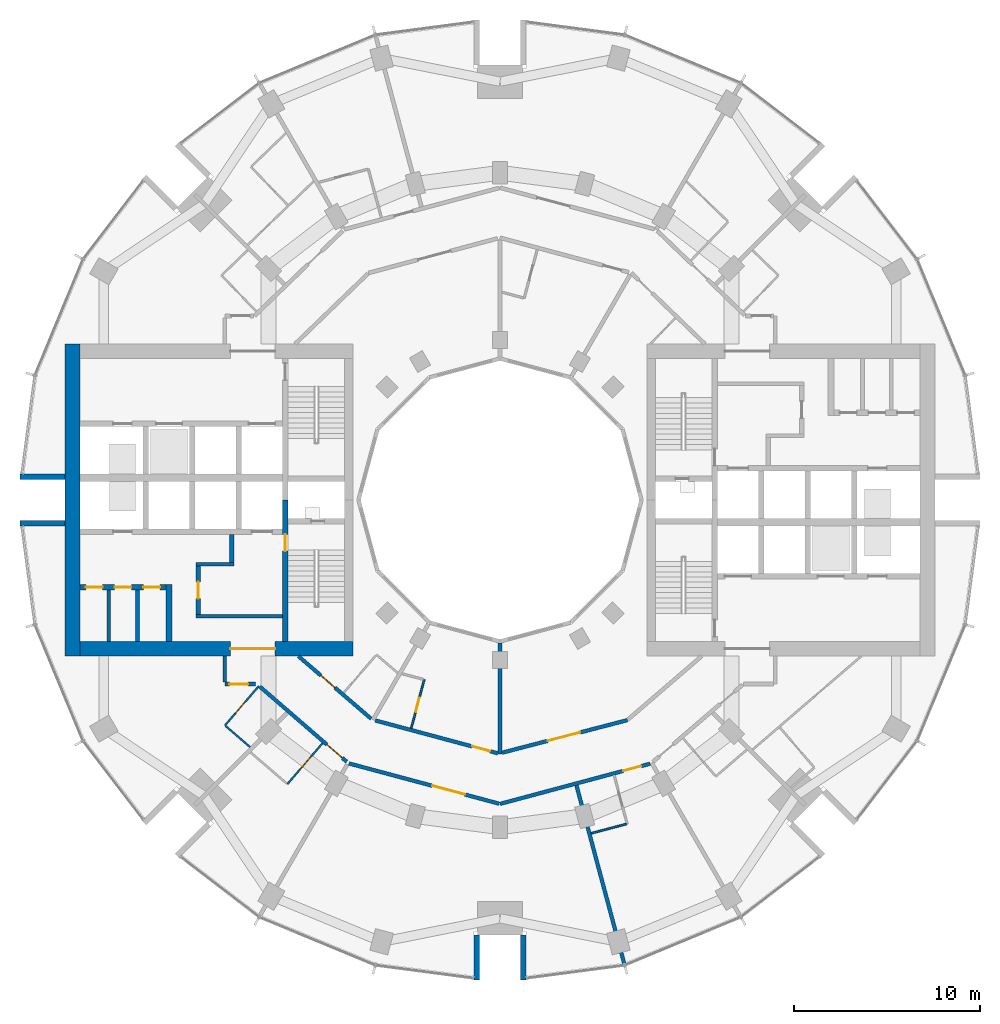
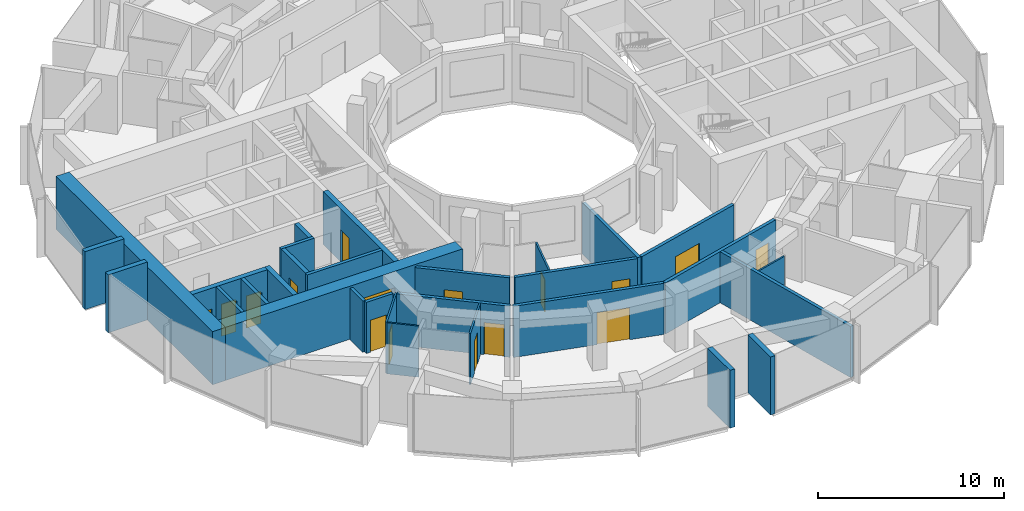
# One storey, part 8 of 15: 30 walls, 16 doors, 16 openings.
"""IFC4 building model written with IfcOpenShell, lengths in metres."""

from ifc_helpers import new_model, si_unit, direction, frame, frame_2d, origin, place, context, subcontext, project, spatial, rectangle, extrude, material, layer, layer_set, type_object, element, fill, save


model = new_model("IFC4")

# Units and contexts
model_context = context("Model", 3, precision=1e-05, world=origin(), true_north=direction((0.0, 1.0)))
body_context = subcontext(model_context, "Body", "Model", "MODEL_VIEW")
ifc_project = project(units=[si_unit("LENGTHUNIT", "METRE"), si_unit("AREAUNIT", "SQUARE_METRE"), si_unit("VOLUMEUNIT", "CUBIC_METRE"), si_unit("PLANEANGLEUNIT", "RADIAN"), si_unit("MASSUNIT", "GRAM", prefix="KILO")], contexts=[model_context])

# Site, building, storey
site_placement = place(None, origin())
site = spatial("IfcSite", under=ifc_project, at=site_placement, CompositionType="ELEMENT")
building_placement = place(site_placement, origin())
building = spatial("IfcBuilding", under=site, at=building_placement, Name="Torre Brocal", CompositionType="ELEMENT")
storey_placement = place(building_placement, frame((0.0, 0.0, 97.60009765625)))
storey = spatial("IfcBuildingStorey", under=building, at=storey_placement, Name="L22", CompositionType="ELEMENT", Elevation=97.60009765625)

# Walls
ifc_material_1 = material(Name="Masonry block", Category="masonry")
ifc_layer_1 = layer(ifc_material_1, 0.199951171875)
ifc_layer_set_1 = layer_set([ifc_layer_1], Name="Masonry block")
wall_type_1 = type_object("IfcWallType", Name="CORE PARTITION 200", PredefinedType="PARTITIONING", material=ifc_layer_set_1)
for number, where, z_axis, x_axis, name in (
    (1, (60.5, 70.14990234375, 0.0), (0.0, 0.0, 1.0), (0.0, -1.0, 0.0), "Wall CP200"),
    (2, (58.949951171875, 70.14990234375, 0.0), (0.0, 0.0, 1.0), (0.0, -1.0, 0.0), "Wall CP200"),
):
    element("IfcWall", number, at=place(storey_placement, frame(where, z_axis=z_axis, x_axis=x_axis)), inside=storey, type_object=wall_type_1, Name=name, PredefinedType="PARTITIONING", context=body_context, shape_type="SweptSolid", body=[
        extrude(rectangle(XDim=2.75, YDim=0.199951171875, at=frame_2d((1.375, 0.0))), origin(), (0.0, 0.0, 1.0), 3.47998046875),
    ])
ifc_material_2 = material(Name="Concrete C80", Category="concrete")
ifc_layer_2 = layer(ifc_material_2, 0.199951171875)
ifc_layer_set_2 = layer_set([ifc_layer_2], Name="Concrete C80")
wall_type_2 = type_object("IfcWallType", Name="CORE WALL 200 C80", PredefinedType="SHEAR", material=ifc_layer_set_2)
wall_1_placement = place(storey_placement, frame((68.300048828125, 68.75, 0.0), z_axis=(0.0, 0.0, 1.0), x_axis=(-1.0, 0.0, 0.0)))
element("IfcWall", 3, at=wall_1_placement, inside=storey, type_object=wall_type_2, Name="Wall CW200-80", PredefinedType="SHEAR", context=body_context, shape_type="SweptSolid", body=[
    extrude(rectangle(XDim=4.650146484375, YDim=0.199951171875, at=frame_2d((2.3251953125, 0.0))), origin(), (0.0, 0.0, 1.0), 3.47998046875),
])
wall_2_placement = place(storey_placement, frame((65.699951171875, 71.550048828125, 0.0), z_axis=(0.0, 0.0, 1.0), x_axis=(-1.0, 0.0, 0.0)))
element("IfcWall", 4, at=wall_2_placement, inside=storey, type_object=wall_type_2, Name="Wall CW200-80", PredefinedType="SHEAR", context=body_context, shape_type="SweptSolid", body=[
    extrude(rectangle(XDim=2.050048828125, YDim=0.199951171875, at=frame_2d((1.02490234375, 0.0))), origin(), (0.0, 0.0, 1.0), 3.47998046875),
])

# Wall, opening, door
ifc_material_3 = material(Name="Concrete C80", Category="concrete")
ifc_layer_3 = layer(ifc_material_3, 0.25)
ifc_layer_set_3 = layer_set([ifc_layer_3], Name="Concrete C80")
wall_type_3 = type_object("IfcWallType", Name="CORE WALL 250 C80", PredefinedType="SHEAR", material=ifc_layer_set_3)
wall_3_placement = place(storey_placement, frame((63.77490234375, 71.449951171875, 0.0), z_axis=(0.0, 0.0, 1.0), x_axis=(0.0, -1.0, 0.0)))
wall_3 = element("IfcWall", 5, at=wall_3_placement, inside=storey, type_object=wall_type_3, Name="Wall CW250-80", PredefinedType="SHEAR", context=body_context, shape_type="SweptSolid", body=[
    extrude(rectangle(XDim=2.599853515625, YDim=0.25, at=frame_2d((1.2998046875, 0.0))), origin(), (0.0, 0.0, 1.0), 3.47998046875),
])
opening_1_placement = place(wall_3_placement, frame((0.85009765625, 0.0, 0.0)))
opening_1 = element("IfcOpeningElement", 6, at=opening_1_placement, cuts=wall_3, Name="Opening W-D15", PredefinedType="OPENING", context=body_context, shape_type="SweptSolid", body=[
    extrude(rectangle(XDim=0.89990234375, YDim=2.10009765625, at=frame_2d((0.449951171875, 1.050048828125))), frame((0.0, 0.135009765625, 0.0), z_axis=(0.0, -1.0, 0.0), x_axis=(1.0, 0.0, 0.0)), (0.0, 0.0, 1.0), 0.27001953125),
])
ifc_material_4 = material(Name="Steel A653", Category="steel")
door_type_1 = type_object("IfcDoorType", Name="LOBBY DOOR FD120 900X2100", OperationType="SINGLE_SWING_RIGHT", PredefinedType="DOOR", material=ifc_material_4)
door_1_placement = place(opening_1_placement, origin())
door_1 = element("IfcDoor", 7, at=door_1_placement, inside=storey, type_object=door_type_1, Name="Door W-D15", OperationType="SINGLE_SWING_LEFT", OverallHeight=2.10009765625, OverallWidth=0.89990234375, PredefinedType="DOOR", context=body_context, shape_type="SweptSolid", body=[
    extrude(rectangle(XDim=0.89990234375, YDim=2.10009765625, at=frame_2d((0.449951171875, 1.050048828125))), frame((0.0, 0.02490234375, 0.0), z_axis=(0.0, -1.0, 0.0), x_axis=(1.0, 0.0, 0.0)), (0.0, 0.0, 1.0), 0.050048828125),
])
fill(opening_1, door_1)

# Wall
wall_4_placement = place(storey_placement, frame((65.574951171875, 73.14990234375, 0.0), z_axis=(0.0, 0.0, 1.0), x_axis=(0.0, -1.0, 0.0)))
element("IfcWall", 8, at=wall_4_placement, inside=storey, type_object=wall_type_3, Name="Wall CW250-80", PredefinedType="SHEAR", context=body_context, shape_type="SweptSolid", body=[
    extrude(rectangle(XDim=1.5, YDim=0.25, at=frame_2d((0.75, 0.0))), origin(), (0.0, 0.0, 1.0), 3.47998046875),
])

# Wall, opening, door
ifc_material_5 = material(Name="Concrete C80", Category="concrete")
ifc_layer_4 = layer(ifc_material_5, 0.300048828125)
ifc_layer_set_4 = layer_set([ifc_layer_4], Name="Concrete C80")
wall_type_4 = type_object("IfcWallType", Name="CORE WALL 300 C80", PredefinedType="SHEAR", material=ifc_layer_set_4)
wall_5_placement = place(storey_placement, frame((68.449951171875, 75.0, 0.0), z_axis=(0.0, 0.0, 1.0), x_axis=(0.0, -1.0, 0.0)))
wall_5 = element("IfcWall", 9, at=wall_5_placement, inside=storey, type_object=wall_type_4, Name="Wall CW300-80", PredefinedType="SHEAR", context=body_context, shape_type="SweptSolid", body=[
    extrude(rectangle(XDim=7.60009765625, YDim=0.300048828125, at=frame_2d((3.800048828125, 0.0))), origin(), (0.0, 0.0, 1.0), 3.47998046875),
])
opening_2_placement = place(wall_5_placement, frame((1.85009765625, 0.0, 0.0)))
opening_2 = element("IfcOpeningElement", 10, at=opening_2_placement, cuts=wall_5, Name="Opening W-D02", PredefinedType="OPENING", context=body_context, shape_type="SweptSolid", body=[
    extrude(rectangle(XDim=0.89990234375, YDim=2.10009765625, at=frame_2d((0.449951171875, 1.050048828125))), frame((0.0, 0.159912109375, 0.0), z_axis=(0.0, -1.0, 0.0), x_axis=(1.0, 0.0, 0.0)), (0.0, 0.0, 1.0), 0.320068359375),
])
ifc_material_6 = material(Name="Steel A653", Category="steel")
door_type_2 = type_object("IfcDoorType", Name="STAIR DOOR FD120 900X2100", OperationType="SINGLE_SWING_RIGHT", PredefinedType="DOOR", material=ifc_material_6)
door_2_placement = place(opening_2_placement, origin())
door_2 = element("IfcDoor", 11, at=door_2_placement, inside=storey, type_object=door_type_2, Name="Door W-D02", OperationType="SINGLE_SWING_LEFT", OverallHeight=2.10009765625, OverallWidth=0.89990234375, PredefinedType="DOOR", context=body_context, shape_type="SweptSolid", body=[
    extrude(rectangle(XDim=0.89990234375, YDim=2.10009765625, at=frame_2d((0.449951171875, 1.050048828125))), frame((0.0, 0.02490234375, 0.0), z_axis=(0.0, -1.0, 0.0), x_axis=(1.0, 0.0, 0.0)), (0.0, 0.0, 1.0), 0.050048828125),
])
fill(opening_2, door_2)

# Wall
wall_6_placement = place(storey_placement, frame((62.199951171875, 70.449951171875, 0.0), z_axis=(0.0, 0.0, 1.0), x_axis=(0.0, -1.0, 0.0)))
element("IfcWall", 12, at=wall_6_placement, inside=storey, type_object=wall_type_4, Name="Wall CW300-80", PredefinedType="SHEAR", context=body_context, shape_type="SweptSolid", body=[
    extrude(rectangle(XDim=3.050048828125, YDim=0.300048828125, at=frame_2d((1.52490234375, 0.0))), origin(), (0.0, 0.0, 1.0), 3.47998046875),
])

# Wall, openings, doors
wall_7_placement = place(storey_placement, frame((62.050048828125, 70.300048828125, 0.0), z_axis=(0.0, 0.0, 1.0), x_axis=(-1.0, 0.0, 0.0)))
wall_7 = element("IfcWall", 13, at=wall_7_placement, inside=storey, type_object=wall_type_4, Name="Wall CW300-80", PredefinedType="SHEAR", context=body_context, shape_type="SweptSolid", body=[
    extrude(rectangle(XDim=4.650146484375, YDim=0.300048828125, at=frame_2d((2.3251953125, 0.0))), origin(), (0.0, 0.0, 1.0), 3.47998046875),
])
opening_3_placement = place(wall_7_placement, frame((0.324951171875, 0.0, 0.0)))
opening_3 = element("IfcOpeningElement", 14, at=opening_3_placement, cuts=wall_7, Name="Opening W-D05", PredefinedType="OPENING", context=body_context, shape_type="SweptSolid", body=[
    extrude(rectangle(XDim=0.89990234375, YDim=2.10009765625, at=frame_2d((0.449951171875, 1.050048828125))), frame((0.0, 0.159912109375, 0.0), z_axis=(0.0, -1.0, 0.0), x_axis=(1.0, 0.0, 0.0)), (0.0, 0.0, 1.0), 0.320068359375),
])
opening_4_placement = place(wall_7_placement, frame((1.875, 0.0, 0.0)))
opening_4 = element("IfcOpeningElement", 15, at=opening_4_placement, cuts=wall_7, Name="Opening W-D06", PredefinedType="OPENING", context=body_context, shape_type="SweptSolid", body=[
    extrude(rectangle(XDim=0.89990234375, YDim=2.10009765625, at=frame_2d((0.449951171875, 1.050048828125))), frame((0.0, 0.159912109375, 0.0), z_axis=(0.0, -1.0, 0.0), x_axis=(1.0, 0.0, 0.0)), (0.0, 0.0, 1.0), 0.320068359375),
])
opening_5_placement = place(wall_7_placement, frame((3.425048828125, 0.0, 0.0)))
opening_5 = element("IfcOpeningElement", 16, at=opening_5_placement, cuts=wall_7, Name="Opening W-D07", PredefinedType="OPENING", context=body_context, shape_type="SweptSolid", body=[
    extrude(rectangle(XDim=0.89990234375, YDim=2.10009765625, at=frame_2d((0.449951171875, 1.050048828125))), frame((0.0, 0.159912109375, 0.0), z_axis=(0.0, -1.0, 0.0), x_axis=(1.0, 0.0, 0.0)), (0.0, 0.0, 1.0), 0.320068359375),
])
ifc_material_7 = material(Name="Steel A653", Category="steel")
door_type_3 = type_object("IfcDoorType", Name="ROOM DOOR FD30S 900X2100", OperationType="SINGLE_SWING_LEFT", PredefinedType="DOOR", material=ifc_material_7)
door_3_placement = place(opening_3_placement, origin())
door_3 = element("IfcDoor", 17, at=door_3_placement, inside=storey, type_object=door_type_3, Name="Door W-D05", OperationType="SINGLE_SWING_RIGHT", OverallHeight=2.10009765625, OverallWidth=0.89990234375, PredefinedType="DOOR", context=body_context, shape_type="SweptSolid", body=[
    extrude(rectangle(XDim=0.89990234375, YDim=2.10009765625, at=frame_2d((0.449951171875, 1.050048828125))), frame((0.0, 0.02490234375, 0.0), z_axis=(0.0, -1.0, 0.0), x_axis=(1.0, 0.0, 0.0)), (0.0, 0.0, 1.0), 0.050048828125),
])
fill(opening_3, door_3)
door_4_placement = place(opening_4_placement, origin())
door_4 = element("IfcDoor", 18, at=door_4_placement, inside=storey, type_object=door_type_3, Name="Door W-D06", OperationType="SINGLE_SWING_RIGHT", OverallHeight=2.10009765625, OverallWidth=0.89990234375, PredefinedType="DOOR", context=body_context, shape_type="SweptSolid", body=[
    extrude(rectangle(XDim=0.89990234375, YDim=2.10009765625, at=frame_2d((0.449951171875, 1.050048828125))), frame((0.0, 0.02490234375, 0.0), z_axis=(0.0, -1.0, 0.0), x_axis=(1.0, 0.0, 0.0)), (0.0, 0.0, 1.0), 0.050048828125),
])
fill(opening_4, door_4)
door_5_placement = place(opening_5_placement, origin())
door_5 = element("IfcDoor", 19, at=door_5_placement, inside=storey, type_object=door_type_3, Name="Door W-D07", OperationType="SINGLE_SWING_LEFT", OverallHeight=2.10009765625, OverallWidth=0.89990234375, PredefinedType="DOOR", context=body_context, shape_type="SweptSolid", body=[
    extrude(rectangle(XDim=0.89990234375, YDim=2.10009765625, at=frame_2d((0.449951171875, 1.050048828125))), frame((0.0, 0.02490234375, 0.0), z_axis=(0.0, -1.0, 0.0), x_axis=(1.0, 0.0, 0.0)), (0.0, 0.0, 1.0), 0.050048828125),
])
fill(opening_5, door_5)

# Wall, opening, door
ifc_material_8 = material(Name="Concrete C80", Category="concrete")
ifc_layer_5 = layer(ifc_material_8, 0.800048828125)
ifc_layer_set_5 = layer_set([ifc_layer_5], Name="Concrete C80")
wall_type_5 = type_object("IfcWallType", Name="CORE WALL 800 C80", PredefinedType="SHEAR", material=ifc_layer_set_5)
wall_8_placement = place(storey_placement, frame((72.10009765625, 67.0, 0.0), z_axis=(0.0, 0.0, 1.0), x_axis=(-1.0, 0.0, 0.0)))
wall_8 = element("IfcWall", 20, at=wall_8_placement, inside=storey, type_object=wall_type_5, Name="Wall CW800-80", PredefinedType="SHEAR", context=body_context, shape_type="SweptSolid", body=[
    extrude(rectangle(XDim=14.7001953125, YDim=0.800048828125, at=frame_2d((7.35009765625, 0.0))), origin(), (0.0, 0.0, 1.0), 3.47998046875),
])
opening_6_placement = place(wall_8_placement, frame((4.199951171875, 0.0, 0.0)))
opening_6 = element("IfcOpeningElement", 21, at=opening_6_placement, cuts=wall_8, Name="Opening W-D27", PredefinedType="OPENING", context=body_context, shape_type="SweptSolid", body=[
    extrude(rectangle(XDim=2.39990234375, YDim=2.39990234375, at=frame_2d((1.199951171875, 1.199951171875))), frame((0.0, 0.409912109375, 0.0), z_axis=(0.0, -1.0, 0.0), x_axis=(1.0, 0.0, 0.0)), (0.0, 0.0, 1.0), 0.820068359375),
])
ifc_material_9 = material(Name="Steel A653", Category="steel")
door_type_4 = type_object("IfcDoorType", Name="DOUBLE FIRE DOOR FD90 2400X2400", OperationType="DOUBLE_DOOR_SINGLE_SWING", PredefinedType="DOOR", material=ifc_material_9)
door_6_placement = place(opening_6_placement, frame((2.39990234375, 0.0, 0.0), z_axis=(0.0, 0.0, 1.0), x_axis=(-1.0, 0.0, 0.0)))
door_6 = element("IfcDoor", 22, at=door_6_placement, inside=storey, type_object=door_type_4, Name="Door W-D27", OperationType="DOUBLE_DOOR_SINGLE_SWING", OverallHeight=2.39990234375, OverallWidth=2.39990234375, PredefinedType="DOOR", context=body_context, shape_type="SweptSolid", body=[
    extrude(rectangle(XDim=2.39990234375, YDim=2.39990234375, at=frame_2d((1.199951171875, 1.199951171875))), frame((0.0, 0.02490234375, 0.0), z_axis=(0.0, -1.0, 0.0), x_axis=(1.0, 0.0, 0.0)), (0.0, 0.0, 1.0), 0.050048828125),
])
fill(opening_6, door_6)

# Walls
wall_9_placement = place(storey_placement, frame((57.0, 83.39990234375, 0.0), z_axis=(0.0, 0.0, 1.0), x_axis=(0.0, -1.0, 0.0)))
element("IfcWall", 23, at=wall_9_placement, inside=storey, type_object=wall_type_5, Name="Wall CW800-80", PredefinedType="SHEAR", context=body_context, shape_type="SweptSolid", body=[
    extrude(rectangle(XDim=16.7998046875, YDim=0.800048828125, at=frame_2d((8.39990234375, 0.0))), origin(), (0.0, 0.0, 1.0), 3.47998046875),
])
ifc_material_10 = material(Name="Concrete C80", Category="concrete")
ifc_layer_6 = layer(ifc_material_10, 0.300048828125)
ifc_layer_set_6 = layer_set([ifc_layer_6], Name="Concrete C80")
wall_type_6 = type_object("IfcWallType", Name="NOTCH RETURN WALL 300 C80", PredefinedType="NOTDEFINED", material=ifc_layer_set_6)
for number, where, z_axis, x_axis, name in (
    (24, (56.60009765625, 76.25, 0.0), (0.0, 0.0, 1.0), (-1.0, 0.0, 0.0), "NOTCH RETURN WALL"),
    (25, (56.60009765625, 73.75, 0.0), (0.0, 0.0, 1.0), (-1.0, 0.0, 0.0), "NOTCH RETURN WALL"),
    (26, (78.75, 51.60009765625, 0.0), (0.0, 0.0, 1.0), (0.0, -1.0, 0.0), "NOTCH RETURN WALL"),
    (27, (81.25, 51.60009765625, 0.0), (0.0, 0.0, 1.0), (0.0, -1.0, 0.0), "NOTCH RETURN WALL"),
):
    element("IfcWall", number, at=place(storey_placement, frame(where, z_axis=z_axis, x_axis=x_axis)), inside=storey, type_object=wall_type_6, Name=name, PredefinedType="NOTDEFINED", context=body_context, shape_type="SweptSolid", body=[
        extrude(rectangle(XDim=2.415771484375, YDim=0.300048828125, at=frame_2d((1.2080078125, 0.0))), origin(), (0.0, 0.0, 1.0), 3.7998046875),
    ])
ifc_material_11 = material(Name="Gypsum board", Category="Gypsum")
ifc_layer_7 = layer(ifc_material_11, 0.10009765625)
ifc_layer_set_7 = layer_set([ifc_layer_7], Name="Gypsum board")
wall_type_7 = type_object("IfcWallType", Name="PARTITION 100", PredefinedType="PARTITIONING", material=ifc_layer_set_7)
wall_10_placement = place(storey_placement, frame((65.245849609375, 62.84228515625, 0.0), z_axis=(0.0, 0.0, 1.0), x_axis=(0.758030338995, -0.652219292234, 0.0)))
element("IfcWall", 28, at=wall_10_placement, inside=storey, type_object=wall_type_7, Name="BATHROOM WALL", PredefinedType="PARTITIONING", context=body_context, shape_type="SweptSolid", body=[
    extrude(rectangle(XDim=1.73046875, YDim=0.10009765625, at=frame_2d((0.865234375, 0.0))), origin(), (0.0, 0.0, 1.0), 3.349853515625),
])

# Wall, opening, door
wall_11_placement = place(storey_placement, frame((65.2080078125, 62.875, 0.0), z_axis=(0.0, 0.0, 1.0), x_axis=(0.65205430601, 0.758172264076, 0.0)))
wall_11 = element("IfcWall", 29, at=wall_11_placement, inside=storey, type_object=wall_type_7, Name="BATHROOM WALL", PredefinedType="PARTITIONING", context=body_context, shape_type="SweptSolid", body=[
    extrude(rectangle(XDim=2.7998046875, YDim=0.10009765625, at=frame_2d((1.39990234375, 0.0))), origin(), (0.0, 0.0, 1.0), 3.349853515625),
])
opening_7_placement = place(wall_11_placement, frame((0.85009765625, 0.0, 0.0)))
opening_7 = element("IfcOpeningElement", 30, at=opening_7_placement, cuts=wall_11, Name="Opening H06-D29", PredefinedType="OPENING", context=body_context, shape_type="SweptSolid", body=[
    extrude(rectangle(XDim=0.800048828125, YDim=2.10009765625, at=frame_2d((0.39990234375, 1.050048828125))), frame((0.0, 0.06005859375, 0.0), z_axis=(0.0, -1.0, 0.0), x_axis=(1.0, 0.0, 0.0)), (0.0, 0.0, 1.0), 0.1201171875),
])
ifc_material_12 = material(Name="Timber", Category="wood")
door_type_5 = type_object("IfcDoorType", Name="BATHROOM DOOR 800X2100", OperationType="SINGLE_SWING_LEFT", PredefinedType="DOOR", material=ifc_material_12)
door_7_placement = place(opening_7_placement, frame((0.800048828125, 0.0, 0.0), z_axis=(0.0, 0.0, 1.0), x_axis=(-1.0, 0.0, 0.0)))
door_7 = element("IfcDoor", 31, at=door_7_placement, inside=storey, type_object=door_type_5, Name="H06-D29", OperationType="SINGLE_SWING_RIGHT", OverallHeight=2.10009765625, OverallWidth=0.800048828125, PredefinedType="DOOR", context=body_context, shape_type="SweptSolid", body=[
    extrude(rectangle(XDim=0.800048828125, YDim=2.10009765625, at=frame_2d((0.39990234375, 1.050048828125))), frame((0.0, 0.02490234375, 0.0), z_axis=(0.0, -1.0, 0.0), x_axis=(1.0, 0.0, 0.0)), (0.0, 0.0, 1.0), 0.050048828125),
])
fill(opening_7, door_7)

wall_12_placement = place(storey_placement, frame((68.56591796875, 59.721923828125, 0.0), z_axis=(0.0, 0.0, 1.0), x_axis=(0.65193146671, 0.758277892803, 0.0)))
wall_12 = element("IfcWall", 32, at=wall_12_placement, inside=storey, type_object=wall_type_7, Name="BATHROOM WALL", PredefinedType="PARTITIONING", context=body_context, shape_type="SweptSolid", body=[
    extrude(rectangle(XDim=2.890380859375, YDim=0.10009765625, at=frame_2d((1.4453125, 0.0))), origin(), (0.0, 0.0, 1.0), 3.349853515625),
])
opening_8_placement = place(wall_12_placement, frame((1.050048828125, 0.0, 0.0)))
opening_8 = element("IfcOpeningElement", 33, at=opening_8_placement, cuts=wall_12, Name="Opening H06-D27", PredefinedType="OPENING", context=body_context, shape_type="SweptSolid", body=[
    extrude(rectangle(XDim=0.89990234375, YDim=2.10009765625, at=frame_2d((0.449951171875, 1.050048828125))), frame((0.0, 0.06005859375, 0.0), z_axis=(0.0, -1.0, 0.0), x_axis=(1.0, 0.0, 0.0)), (0.0, 0.0, 1.0), 0.1201171875),
])
ifc_material_13 = material(Name="Timber", Category="wood")
door_type_6 = type_object("IfcDoorType", Name="ACCESSIBLE BATHROOM DOOR 900X2100", OperationType="SINGLE_SWING_LEFT", PredefinedType="DOOR", material=ifc_material_13)
door_8_placement = place(opening_8_placement, origin())
door_8 = element("IfcDoor", 34, at=door_8_placement, inside=storey, type_object=door_type_6, Name="H06-D27", OperationType="SINGLE_SWING_RIGHT", OverallHeight=2.10009765625, OverallWidth=0.89990234375, PredefinedType="DOOR", context=body_context, shape_type="SweptSolid", body=[
    extrude(rectangle(XDim=0.89990234375, YDim=2.10009765625, at=frame_2d((0.449951171875, 1.050048828125))), frame((0.0, 0.02490234375, 0.0), z_axis=(0.0, -1.0, 0.0), x_axis=(1.0, 0.0, 0.0)), (0.0, 0.0, 1.0), 0.050048828125),
])
fill(opening_8, door_8)

wall_13_placement = place(storey_placement, frame((75.226806640625, 62.728759765625, 0.0), z_axis=(0.0, 0.0, 1.0), x_axis=(0.258945475746, 0.965891940432, 0.0)))
wall_13 = element("IfcWall", 35, at=wall_13_placement, inside=storey, type_object=wall_type_7, Name="BATHROOM WALL", PredefinedType="PARTITIONING", context=body_context, shape_type="SweptSolid", body=[
    extrude(rectangle(XDim=2.7001953125, YDim=0.10009765625, at=frame_2d((1.35009765625, 0.0))), origin(), (0.0, 0.0, 1.0), 3.349853515625),
])
opening_9_placement = place(wall_13_placement, frame((0.900146484375, 0.0, 0.0)))
opening_9 = element("IfcOpeningElement", 36, at=opening_9_placement, cuts=wall_13, Name="Opening H06-D32", PredefinedType="OPENING", context=body_context, shape_type="SweptSolid", body=[
    extrude(rectangle(XDim=0.800048828125, YDim=2.10009765625, at=frame_2d((0.39990234375, 1.050048828125))), frame((0.0, 0.06005859375, 0.0), z_axis=(0.0, -1.0, 0.0), x_axis=(1.0, 0.0, 0.0)), (0.0, 0.0, 1.0), 0.1201171875),
])
door_9_placement = place(opening_9_placement, origin())
door_9 = element("IfcDoor", 37, at=door_9_placement, inside=storey, type_object=door_type_5, Name="H06-D32", OperationType="SINGLE_SWING_LEFT", OverallHeight=2.10009765625, OverallWidth=0.800048828125, PredefinedType="DOOR", context=body_context, shape_type="SweptSolid", body=[
    extrude(rectangle(XDim=0.800048828125, YDim=2.10009765625, at=frame_2d((0.39990234375, 1.050048828125))), frame((0.0, 0.02490234375, 0.0), z_axis=(0.0, -1.0, 0.0), x_axis=(1.0, 0.0, 0.0)), (0.0, 0.0, 1.0), 0.050048828125),
])
fill(opening_9, door_9)

# Walls
wall_14_placement = place(storey_placement, frame((84.90771484375, 57.06982421875, 0.0), z_axis=(0.0, 0.0, 1.0), x_axis=(0.965853538138, 0.25908867761, 0.0)))
element("IfcWall", 38, at=wall_14_placement, inside=storey, type_object=wall_type_7, Name="BATHROOM WALL", PredefinedType="PARTITIONING", context=body_context, shape_type="SweptSolid", body=[
    extrude(rectangle(XDim=1.94970703125, YDim=0.10009765625, at=frame_2d((0.974853515625, 0.0))), origin(), (0.0, 0.0, 1.0), 3.349853515625),
])
ifc_material_14 = material(Name="Gypsum board", Category="Gypsum")
ifc_layer_8 = layer(ifc_material_14, 0.199951171875)
ifc_layer_set_8 = layer_set([ifc_layer_8], Name="Gypsum board")
wall_type_8 = type_object("IfcWallType", Name="PARTITION 200 EI60", PredefinedType="PARTITIONING", material=ifc_layer_set_8)
wall_15_placement = place(storey_placement, frame((65.199951171875, 65.199951171875, 0.0), z_axis=(0.0, 0.0, 1.0), x_axis=(0.0, 1.0, 0.0)))
element("IfcWall", 39, at=wall_15_placement, inside=storey, type_object=wall_type_8, Name="GUESTROOM CORRIDOR WALL", PredefinedType="PARTITIONING", context=body_context, shape_type="SweptSolid", body=[
    extrude(rectangle(XDim=1.399169921875, YDim=0.199951171875, at=frame_2d((0.69970703125, 0.0))), origin(), (0.0, 0.0, 1.0), 3.349853515625),
])

# Wall, opening, door
wall_16_placement = place(storey_placement, frame((65.199951171875, 65.10009765625, 0.0), z_axis=(0.0, 0.0, 1.0), x_axis=(1.0, 0.0, 0.0)))
wall_16 = element("IfcWall", 40, at=wall_16_placement, inside=storey, type_object=wall_type_8, Name="GUESTROOM CORRIDOR WALL", PredefinedType="PARTITIONING", context=body_context, shape_type="SweptSolid", body=[
    extrude(rectangle(XDim=1.655029296875, YDim=0.199951171875, at=frame_2d((0.82763671875, 0.0))), origin(), (0.0, 0.0, 1.0), 3.349853515625),
])
opening_10_placement = place(wall_16_placement, frame((0.25, 0.0, 0.0)))
opening_10 = element("IfcOpeningElement", 41, at=opening_10_placement, cuts=wall_16, Name="Opening H06-D28", PredefinedType="OPENING", context=body_context, shape_type="SweptSolid", body=[
    extrude(rectangle(XDim=1.0, YDim=2.10009765625, at=frame_2d((0.5, 1.050048828125))), frame((0.0, 0.10986328125, 0.0), z_axis=(0.0, -1.0, 0.0), x_axis=(1.0, 0.0, 0.0)), (0.0, 0.0, 1.0), 0.219970703125),
])
ifc_material_15 = material(Name="Timber", Category="wood")
door_type_7 = type_object("IfcDoorType", Name="FLAT ENTRY DOOR FD30S 1000X2100", OperationType="SINGLE_SWING_RIGHT", PredefinedType="DOOR", material=ifc_material_15)
door_10_placement = place(opening_10_placement, frame((1.0, 0.0, 0.0), z_axis=(0.0, 0.0, 1.0), x_axis=(-1.0, 0.0, 0.0)))
door_10 = element("IfcDoor", 42, at=door_10_placement, inside=storey, type_object=door_type_7, Name="H06-D28", OperationType="SINGLE_SWING_RIGHT", OverallHeight=2.10009765625, OverallWidth=1.0, PredefinedType="DOOR", context=body_context, shape_type="SweptSolid", body=[
    extrude(rectangle(XDim=1.0, YDim=2.10009765625, at=frame_2d((0.5, 1.050048828125))), frame((0.0, 0.02490234375, 0.0), z_axis=(0.0, -1.0, 0.0), x_axis=(1.0, 0.0, 0.0)), (0.0, 0.0, 1.0), 0.050048828125),
])
fill(opening_10, door_10)

wall_17_placement = place(storey_placement, frame((67.07861328125, 64.968017578125, 0.0), z_axis=(0.0, 0.0, 1.0), x_axis=(0.756371089567, -0.654142778656, 0.0)))
wall_17 = element("IfcWall", 43, at=wall_17_placement, inside=storey, type_object=wall_type_8, Name="GUESTROOM CORRIDOR WALL", PredefinedType="PARTITIONING", context=body_context, shape_type="SweptSolid", body=[
    extrude(rectangle(XDim=6.185302734375, YDim=0.199951171875, at=frame_2d((3.0927734375, 0.0))), origin(), (0.0, 0.0, 1.0), 3.349853515625),
])
opening_11_placement = place(wall_17_placement, frame((4.7783203125, 0.0, 0.0)))
opening_11 = element("IfcOpeningElement", 44, at=opening_11_placement, cuts=wall_17, Name="Opening H06-D26", PredefinedType="OPENING", context=body_context, shape_type="SweptSolid", body=[
    extrude(rectangle(XDim=1.10009765625, YDim=2.10009765625, at=frame_2d((0.550048828125, 1.050048828125))), frame((0.0, 0.10986328125, 0.0), z_axis=(0.0, -1.0, 0.0), x_axis=(1.0, 0.0, 0.0)), (0.0, 0.0, 1.0), 0.219970703125),
])
ifc_material_16 = material(Name="Timber", Category="wood")
door_type_8 = type_object("IfcDoorType", Name="ACCESSIBLE ENTRY DOOR FD30S 1100X2100", OperationType="SINGLE_SWING_RIGHT", PredefinedType="DOOR", material=ifc_material_16)
door_11_placement = place(opening_11_placement, frame((1.10009765625, 0.0, 0.0), z_axis=(0.0, 0.0, 1.0), x_axis=(-1.0, 0.0, 0.0)))
door_11 = element("IfcDoor", 45, at=door_11_placement, inside=storey, type_object=door_type_8, Name="H06-D26", OperationType="SINGLE_SWING_RIGHT", OverallHeight=2.10009765625, OverallWidth=1.10009765625, PredefinedType="DOOR", context=body_context, shape_type="SweptSolid", body=[
    extrude(rectangle(XDim=1.10009765625, YDim=2.10009765625, at=frame_2d((0.550048828125, 1.050048828125))), frame((0.0, 0.02490234375, 0.0), z_axis=(0.0, -1.0, 0.0), x_axis=(1.0, 0.0, 0.0)), (0.0, 0.0, 1.0), 0.050048828125),
])
fill(opening_11, door_11)

wall_18_placement = place(storey_placement, frame((69.158203125, 66.60009765625, 0.0), z_axis=(0.0, 0.0, 1.0), x_axis=(0.757976058094, -0.652282373943, 0.0)))
wall_18 = element("IfcWall", 46, at=wall_18_placement, inside=storey, type_object=wall_type_8, Name="GUESTROOM CORRIDOR WALL", PredefinedType="PARTITIONING", context=body_context, shape_type="SweptSolid", body=[
    extrude(rectangle(XDim=5.160400390625, YDim=0.199951171875, at=frame_2d((2.580078125, 0.0))), origin(), (0.0, 0.0, 1.0), 3.349853515625),
])
opening_12_placement = place(wall_18_placement, frame((1.60009765625, 0.0, 0.0)))
opening_12 = element("IfcOpeningElement", 47, at=opening_12_placement, cuts=wall_18, Name="Opening H06-D33", PredefinedType="OPENING", context=body_context, shape_type="SweptSolid", body=[
    extrude(rectangle(XDim=1.0, YDim=2.10009765625, at=frame_2d((0.5, 1.050048828125))), frame((0.0, 0.10986328125, 0.0), z_axis=(0.0, -1.0, 0.0), x_axis=(1.0, 0.0, 0.0)), (0.0, 0.0, 1.0), 0.219970703125),
])
door_12_placement = place(opening_12_placement, origin())
door_12 = element("IfcDoor", 48, at=door_12_placement, inside=storey, type_object=door_type_7, Name="H06-D33", OperationType="SINGLE_SWING_RIGHT", OverallHeight=2.10009765625, OverallWidth=1.0, PredefinedType="DOOR", context=body_context, shape_type="SweptSolid", body=[
    extrude(rectangle(XDim=1.0, YDim=2.10009765625, at=frame_2d((0.5, 1.050048828125))), frame((0.0, 0.02490234375, 0.0), z_axis=(0.0, -1.0, 0.0), x_axis=(1.0, 0.0, 0.0)), (0.0, 0.0, 1.0), 0.050048828125),
])
fill(opening_12, door_12)

wall_19_placement = place(storey_placement, frame((71.876953125, 60.8310546875, 0.0), z_axis=(0.0, 0.0, 1.0), x_axis=(0.965905026676, -0.258896657842, 0.0)))
wall_19 = element("IfcWall", 49, at=wall_19_placement, inside=storey, type_object=wall_type_8, Name="CORRIDOR WALL", PredefinedType="PARTITIONING", context=body_context, shape_type="SweptSolid", body=[
    extrude(rectangle(XDim=8.359619140625, YDim=0.199951171875, at=frame_2d((4.1796875, 0.0))), origin(), (0.0, 0.0, 1.0), 3.349853515625),
])
opening_13_placement = place(wall_19_placement, frame((4.65478515625, 0.0, 0.0)))
opening_13 = element("IfcOpeningElement", 50, at=opening_13_placement, cuts=wall_19, Name="Opening H06-D25", PredefinedType="OPENING", context=body_context, shape_type="SweptSolid", body=[
    extrude(rectangle(XDim=1.800048828125, YDim=2.10009765625, at=frame_2d((0.89990234375, 1.050048828125))), frame((0.0, 0.10986328125, 0.0), z_axis=(0.0, -1.0, 0.0), x_axis=(1.0, 0.0, 0.0)), (0.0, 0.0, 1.0), 0.219970703125),
])
ifc_material_17 = material(Name="Timber", Category="wood")
door_type_9 = type_object("IfcDoorType", Name="DOUBLE DOOR 1800X2100", OperationType="DOUBLE_DOOR_SINGLE_SWING", PredefinedType="DOOR", material=ifc_material_17)
door_13_placement = place(opening_13_placement, frame((1.800048828125, 0.0, 0.0), z_axis=(0.0, 0.0, 1.0), x_axis=(-1.0, 0.0, 0.0)))
door_13 = element("IfcDoor", 51, at=door_13_placement, inside=storey, type_object=door_type_9, Name="H06-D25", OperationType="DOUBLE_DOOR_SINGLE_SWING", OverallHeight=2.10009765625, OverallWidth=1.800048828125, PredefinedType="DOOR", context=body_context, shape_type="SweptSolid", body=[
    extrude(rectangle(XDim=1.800048828125, YDim=2.10009765625, at=frame_2d((0.89990234375, 1.050048828125))), frame((0.0, 0.02490234375, 0.0), z_axis=(0.0, -1.0, 0.0), x_axis=(1.0, 0.0, 0.0)), (0.0, 0.0, 1.0), 0.050048828125),
])
fill(opening_13, door_13)

wall_20_placement = place(storey_placement, frame((73.296875, 63.142578125, 0.0), z_axis=(0.0, 0.0, 1.0), x_axis=(0.965859030528, -0.25906820173, 0.0)))
wall_20 = element("IfcWall", 52, at=wall_20_placement, inside=storey, type_object=wall_type_8, Name="GUESTROOM CORRIDOR WALL", PredefinedType="PARTITIONING", context=body_context, shape_type="SweptSolid", body=[
    extrude(rectangle(XDim=6.8095703125, YDim=0.199951171875, at=frame_2d((3.40478515625, 0.0))), origin(), (0.0, 0.0, 1.0), 3.349853515625),
])
opening_14_placement = place(wall_20_placement, frame((5.3896484375, 0.0, 0.0)))
opening_14 = element("IfcOpeningElement", 53, at=opening_14_placement, cuts=wall_20, Name="Opening H06-D31", PredefinedType="OPENING", context=body_context, shape_type="SweptSolid", body=[
    extrude(rectangle(XDim=1.0, YDim=2.10009765625, at=frame_2d((0.5, 1.050048828125))), frame((0.0, 0.10986328125, 0.0), z_axis=(0.0, -1.0, 0.0), x_axis=(1.0, 0.0, 0.0)), (0.0, 0.0, 1.0), 0.219970703125),
])
door_14_placement = place(opening_14_placement, origin())
door_14 = element("IfcDoor", 54, at=door_14_placement, inside=storey, type_object=door_type_7, Name="H06-D31", OperationType="SINGLE_SWING_RIGHT", OverallHeight=2.10009765625, OverallWidth=1.0, PredefinedType="DOOR", context=body_context, shape_type="SweptSolid", body=[
    extrude(rectangle(XDim=1.0, YDim=2.10009765625, at=frame_2d((0.5, 1.050048828125))), frame((0.0, 0.02490234375, 0.0), z_axis=(0.0, -1.0, 0.0), x_axis=(1.0, 0.0, 0.0)), (0.0, 0.0, 1.0), 0.050048828125),
])
fill(opening_14, door_14)

wall_21_placement = place(storey_placement, frame((80.11865234375, 61.409912109375, 0.0), z_axis=(0.0, 0.0, 1.0), x_axis=(0.967823361235, 0.251630565408, 0.0)))
wall_21 = element("IfcWall", 55, at=wall_21_placement, inside=storey, type_object=wall_type_8, Name="GUESTROOM CORRIDOR WALL", PredefinedType="PARTITIONING", context=body_context, shape_type="SweptSolid", body=[
    extrude(rectangle(XDim=6.95849609375, YDim=0.199951171875, at=frame_2d((3.479248046875, 0.0))), origin(), (0.0, 0.0, 1.0), 3.349853515625),
])
opening_15_placement = place(wall_21_placement, frame((2.52880859375, 0.0, 0.0)))
opening_15 = element("IfcOpeningElement", 56, at=opening_15_placement, cuts=wall_21, Name="Opening H06-D30", PredefinedType="OPENING", context=body_context, shape_type="SweptSolid", body=[
    extrude(rectangle(XDim=1.800048828125, YDim=2.10009765625, at=frame_2d((0.89990234375, 1.050048828125))), frame((0.0, 0.10986328125, 0.0), z_axis=(0.0, -1.0, 0.0), x_axis=(1.0, 0.0, 0.0)), (0.0, 0.0, 1.0), 0.219970703125),
])
door_15_placement = place(opening_15_placement, origin())
door_15 = element("IfcDoor", 57, at=door_15_placement, inside=storey, type_object=door_type_9, Name="H06-D30", OperationType="DOUBLE_DOOR_SINGLE_SWING", OverallHeight=2.10009765625, OverallWidth=1.800048828125, PredefinedType="DOOR", context=body_context, shape_type="SweptSolid", body=[
    extrude(rectangle(XDim=1.800048828125, YDim=2.10009765625, at=frame_2d((0.89990234375, 1.050048828125))), frame((0.0, 0.02490234375, 0.0), z_axis=(0.0, -1.0, 0.0), x_axis=(1.0, 0.0, 0.0)), (0.0, 0.0, 1.0), 0.050048828125),
])
fill(opening_15, door_15)

wall_22_placement = place(storey_placement, frame((79.999755859375, 58.65478515625, 0.0), z_axis=(0.0, 0.0, 1.0), x_axis=(0.965967338894, 0.258664068224, 0.0)))
wall_22 = element("IfcWall", 58, at=wall_22_placement, inside=storey, type_object=wall_type_8, Name="GUESTROOM CORRIDOR WALL", PredefinedType="PARTITIONING", context=body_context, shape_type="SweptSolid", body=[
    extrude(rectangle(XDim=8.359619140625, YDim=0.199951171875, at=frame_2d((4.1796875, 0.0))), origin(), (0.0, 0.0, 1.0), 3.349853515625),
])
opening_16_placement = place(wall_22_placement, frame((6.859619140625, 0.0, 0.0)))
opening_16 = element("IfcOpeningElement", 59, at=opening_16_placement, cuts=wall_22, Name="Opening H06-D23", PredefinedType="OPENING", context=body_context, shape_type="SweptSolid", body=[
    extrude(rectangle(XDim=1.0, YDim=2.10009765625, at=frame_2d((0.5, 1.050048828125))), frame((0.0, 0.10986328125, 0.0), z_axis=(0.0, -1.0, 0.0), x_axis=(1.0, 0.0, 0.0)), (0.0, 0.0, 1.0), 0.219970703125),
])
door_16_placement = place(opening_16_placement, frame((1.0, 0.0, 0.0), z_axis=(0.0, 0.0, 1.0), x_axis=(-1.0, 0.0, 0.0)))
door_16 = element("IfcDoor", 60, at=door_16_placement, inside=storey, type_object=door_type_7, Name="H06-D23", OperationType="SINGLE_SWING_RIGHT", OverallHeight=2.10009765625, OverallWidth=1.0, PredefinedType="DOOR", context=body_context, shape_type="SweptSolid", body=[
    extrude(rectangle(XDim=1.0, YDim=2.10009765625, at=frame_2d((0.5, 1.050048828125))), frame((0.0, 0.02490234375, 0.0), z_axis=(0.0, -1.0, 0.0), x_axis=(1.0, 0.0, 0.0)), (0.0, 0.0, 1.0), 0.050048828125),
])
fill(opening_16, door_16)

# Walls
wall_23_placement = place(storey_placement, frame((80.0, 61.346923828125, 0.0), z_axis=(0.0, 0.0, 1.0), x_axis=(0.0, 1.0, 0.0)))
element("IfcWall", 61, at=wall_23_placement, inside=storey, type_object=wall_type_8, Name="PARTY PARTITION", PredefinedType="PARTITIONING", context=body_context, shape_type="SweptSolid", body=[
    extrude(rectangle(XDim=5.953125, YDim=0.199951171875, at=frame_2d((2.9765625, 0.0))), origin(), (0.0, 0.0, 1.0), 3.349853515625),
])
wall_24_placement = place(storey_placement, frame((84.112060546875, 59.65234375, 0.0), z_axis=(0.0, 0.0, 1.0), x_axis=(0.258792739659, -0.965932874428, 0.0)))
element("IfcWall", 62, at=wall_24_placement, inside=storey, type_object=wall_type_8, Name="BATHROOM WALL", PredefinedType="PARTITIONING", context=body_context, shape_type="SweptSolid", body=[
    extrude(rectangle(XDim=9.908447265625, YDim=0.199951171875, at=frame_2d((4.9541015625, 0.0))), origin(), (0.0, 0.0, 1.0), 3.349853515625),
])

save(model, "model.ifc")
